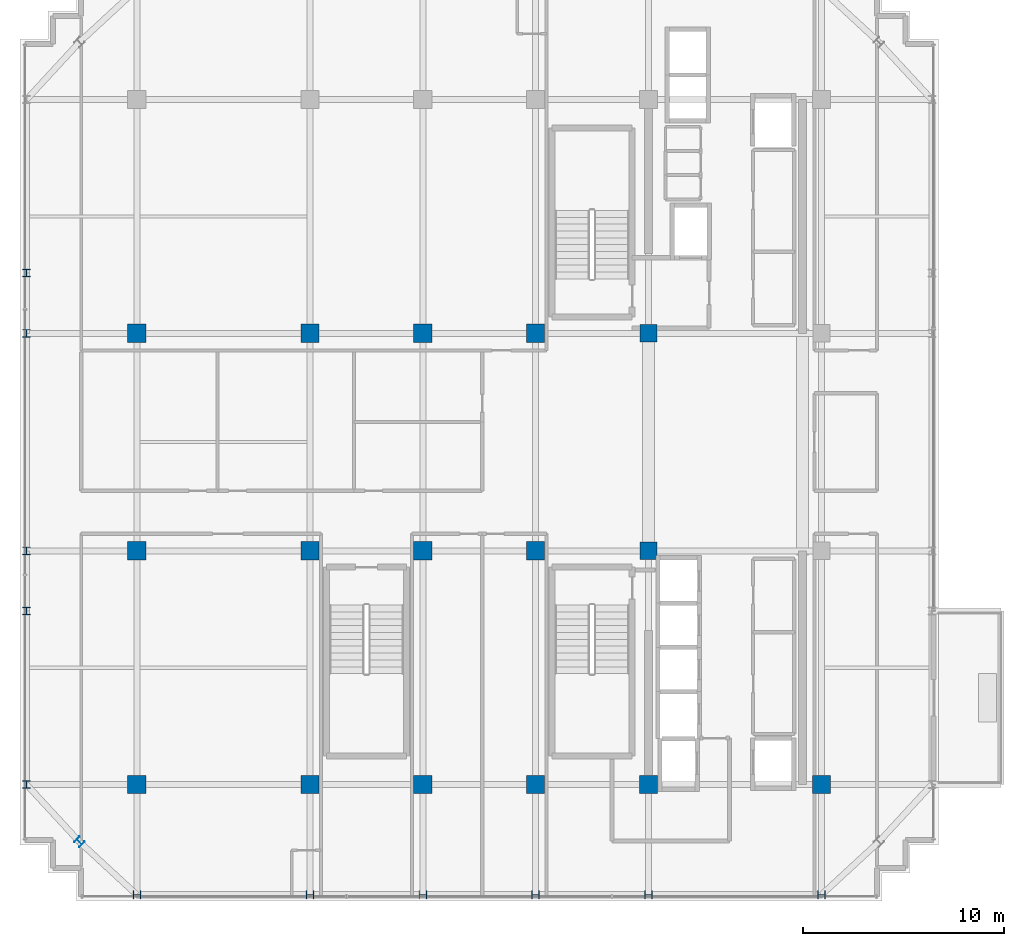
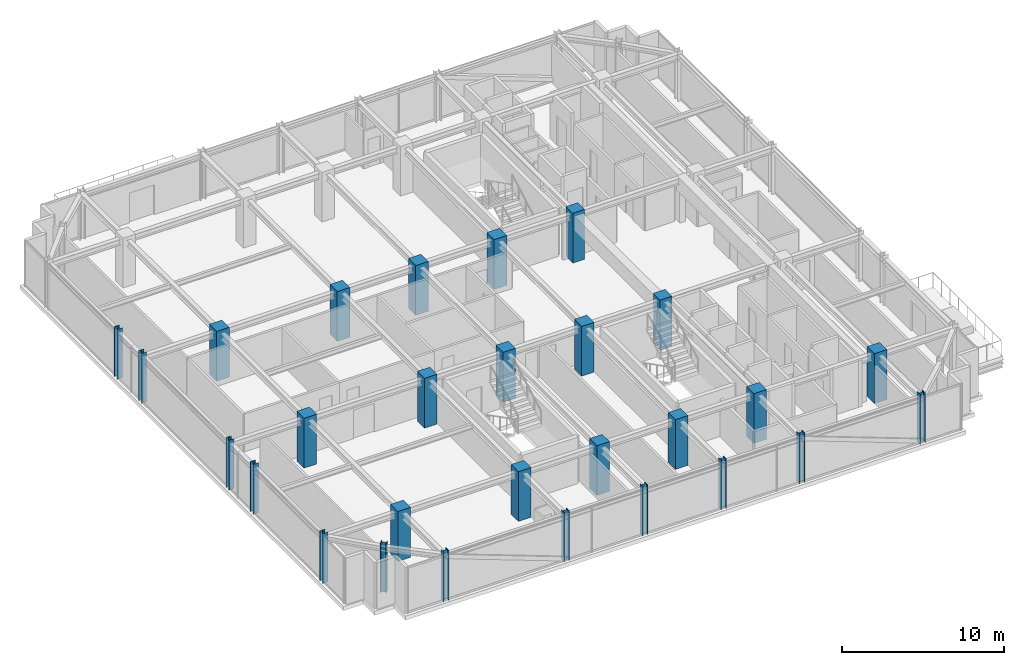
# One storey, part 1 of 31: 28 columns.
"""IFC4 building model written with IfcOpenShell, lengths in metres."""

import ifcopenshell
import ifcopenshell.guid

model = None  # the IFC model being written
_history = None  # IfcOwnerHistory: only IFC2X3 demands one
_inside = {}  # id of a spatial element -> (the spatial element, [elements in it])
_under = {}  # id of a project, library or spatial element -> (it, [spatial elements below it])
_declared = {}  # id of a project -> (the project, [libraries it declares])
_typed = {}  # id of a type object -> (the type object, [elements of that type])
_made_of = {}  # id of a material, layer set ... -> (it, [elements and type objects made of it])


def new_model(schema):
    """Start an empty IFC model of exactly this schema.

    Asked for "IFC4X3", IfcOpenShell would pick the latest addendum, in which some entities
    have other attributes; the version numbers below select the first issue.
    IFC2X3 requires an IfcOwnerHistory on every rooted entity: one is made here for all.
    """
    global model, _history
    if schema == "IFC4X3":
        model = ifcopenshell.file(schema_version=(4, 3, 0, 0))
    else:
        model = ifcopenshell.file(schema=schema)
    _inside.clear()
    _under.clear()
    _declared.clear()
    _typed.clear()
    _made_of.clear()
    _history = None
    if model.schema == "IFC2X3":
        org = make("IfcOrganization", Name="unknown")
        user = make(
            "IfcPersonAndOrganization",
            ThePerson=make("IfcPerson", FamilyName="unknown"),
            TheOrganization=org,
        )
        app = make(
            "IfcApplication",
            ApplicationDeveloper=org,
            Version="unknown",
            ApplicationFullName="unknown",
            ApplicationIdentifier="unknown",
        )
        _history = make(
            "IfcOwnerHistory",
            OwningUser=user,
            OwningApplication=app,
            ChangeAction="ADDED",
            CreationDate=0,
        )
    return model


def make(cls, **values):
    """One entity of the class cls with the attributes given. An attribute that is None is left unset."""
    return model.create_entity(
        cls, **{name: value for name, value in values.items() if value is not None}
    )


def rooted(cls, **values):
    """An entity with a GlobalId (a new one), such as an element, a storey or a relation."""
    return make(cls, GlobalId=ifcopenshell.guid.new(), OwnerHistory=_history, **values)


def si_unit(unit_type, name, prefix=None):
    """IfcSIUnit, for example si_unit("LENGTHUNIT", "METRE", prefix="MILLI")."""
    return make("IfcSIUnit", UnitType=unit_type, Prefix=prefix, Name=name)


def assignment(units):
    """IfcUnitAssignment: the units of a project."""
    return None if units is None else make("IfcUnitAssignment", Units=units)


def point(xyz):
    """IfcCartesianPoint."""
    return None if xyz is None else make("IfcCartesianPoint", Coordinates=xyz)


def direction(xyz):
    """IfcDirection."""
    return None if xyz is None else make("IfcDirection", DirectionRatios=xyz)


def frame(location, z_axis=None, x_axis=None):
    """IfcAxis2Placement3D, a coordinate frame: its origin and axes. An axis left out is left unset."""
    return make(
        "IfcAxis2Placement3D",
        Location=point(location),
        Axis=direction(z_axis),
        RefDirection=direction(x_axis),
    )


def frame_2d(location, x_axis=None):
    """IfcAxis2Placement2D, a coordinate frame in the plane: its origin and x axis."""
    return make(
        "IfcAxis2Placement2D", Location=point(location), RefDirection=direction(x_axis)
    )


def origin():
    """The frame at (0, 0, 0) with its axes left unset."""
    return frame((0.0, 0.0, 0.0))


def origin_2d():
    """The frame at (0, 0) in the plane with its x axis left unset."""
    return frame_2d((0.0, 0.0))


def place(relative_to, where):
    """IfcLocalPlacement: puts the frame where relative to a parent placement (None: the world)."""
    return make(
        "IfcLocalPlacement", PlacementRelTo=relative_to, RelativePlacement=where
    )


def context(
    kind, dimensions, precision=None, world=None, true_north=None, identifier=None
):
    """IfcGeometricRepresentationContext, for example the 3D "Model" context."""
    return make(
        "IfcGeometricRepresentationContext",
        ContextIdentifier=identifier,
        ContextType=kind,
        CoordinateSpaceDimension=dimensions,
        Precision=precision,
        WorldCoordinateSystem=world,
        TrueNorth=true_north,
    )


def subcontext(parent, identifier, kind, view, scale=None):
    """IfcGeometricRepresentationSubContext, for example "Body" below "Model"."""
    return make(
        "IfcGeometricRepresentationSubContext",
        ContextIdentifier=identifier,
        ContextType=kind,
        ParentContext=parent,
        TargetScale=scale,
        TargetView=view,
    )


def project(units=None, contexts=None):
    """IfcProject with its units and contexts."""
    return rooted(
        "IfcProject",
        Name="project",
        RepresentationContexts=contexts,
        UnitsInContext=assignment(units),
    )


def spatial(cls, under=None, at=None, **own):
    """A site, building, storey or space (cls), placed at a placement, below another one or the project."""
    s = rooted(cls, ObjectPlacement=at, **own)
    if under is not None:
        _under.setdefault(under.id(), (under, []))[1].append(s)
    return s


def profile(cls, at=None, kind="AREA", **sizes):
    """A parametric profile (cls). Its sizes go by their IFC names, for example OverallWidth=200.0."""
    return make(cls, ProfileType=kind, Position=at, **sizes)


def rectangle(**sizes):
    """IfcRectangleProfileDef."""
    return profile("IfcRectangleProfileDef", **sizes)


def i_section(**sizes):
    """IfcIShapeProfileDef."""
    return profile("IfcIShapeProfileDef", **sizes)


def extrude(swept, where, along, depth):
    """IfcExtrudedAreaSolid: the profile swept, set in the frame where, extruded along a direction by depth."""
    return make(
        "IfcExtrudedAreaSolid",
        SweptArea=swept,
        Position=where,
        ExtrudedDirection=direction(along),
        Depth=depth,
    )


def shape(context_of_items, identifier, shape_type, items):
    """IfcShapeRepresentation: the items that make up one representation, for example the "Body"."""
    return make(
        "IfcShapeRepresentation",
        ContextOfItems=context_of_items,
        RepresentationIdentifier=identifier,
        RepresentationType=shape_type,
        Items=items,
    )


def source(mapping_origin, context_of_items, identifier, shape_type, items):
    """IfcRepresentationMap: a shape defined once, which mapped items show again and again."""
    return make(
        "IfcRepresentationMap",
        MappingOrigin=mapping_origin,
        MappedRepresentation=shape(context_of_items, identifier, shape_type, items),
    )


def transform(
    local_origin,
    x_axis=None,
    y_axis=None,
    z_axis=None,
    scale=None,
    scale2=None,
    scale3=None,
    uniform=True,
):
    """IfcCartesianTransformationOperator3D, or its non-uniform kind. x_axis, y_axis, z_axis: its Axis1, 2, 3."""
    if uniform:
        return make(
            "IfcCartesianTransformationOperator3D",
            Axis1=direction(x_axis),
            Axis2=direction(y_axis),
            LocalOrigin=point(local_origin),
            Scale=scale,
            Axis3=direction(z_axis),
        )
    return make(
        "IfcCartesianTransformationOperator3DnonUniform",
        Axis1=direction(x_axis),
        Axis2=direction(y_axis),
        LocalOrigin=point(local_origin),
        Scale=scale,
        Axis3=direction(z_axis),
        Scale2=scale2,
        Scale3=scale3,
    )


def mapped(mapping_source, mapping_target):
    """IfcMappedItem: shows the shape of a source again, moved by a transform."""
    return make(
        "IfcMappedItem", MappingSource=mapping_source, MappingTarget=mapping_target
    )


def material(Name=None, Category=None):
    """IfcMaterial."""
    return make("IfcMaterial", Name=Name, Category=Category)


def material_profile(
    of_material, cross_section, Name=None, Category=None, Priority=None
):
    """IfcMaterialProfile: a cross section and its material."""
    return make(
        "IfcMaterialProfile",
        Name=Name,
        Material=of_material,
        Profile=cross_section,
        Priority=Priority,
        Category=Category,
    )


def profile_set(profiles, Name=None, composite=None):
    """IfcMaterialProfileSet."""
    return make(
        "IfcMaterialProfileSet",
        Name=Name,
        MaterialProfiles=profiles,
        CompositeProfile=composite,
    )


def made_of(thing, what):
    """Note that an element or type object is made of a material, layer set ...; save() writes the relation."""
    if what is not None:
        _made_of.setdefault(what.id(), (what, []))[1].append(thing)
    return thing


def type_object(cls, material=None, **own):
    """A type object (cls), such as IfcWallType, which elements share."""
    return made_of(rooted(cls, **own), material)


def element(
    cls,
    number,
    at=None,
    inside=None,
    cuts=None,
    type_object=None,
    material=None,
    context=None,
    identifier="Body",
    shape_type=None,
    held_by="IfcProductDefinitionShape",
    body=None,
    shapes=None,
    **own,
):
    """One element of the class cls, such as IfcWall. Its Tag is "e" and its number.

    at: its placement. inside: the storey or other place that contains it. cuts: it is an
    opening in that element (IfcRelVoidsElement). A single representation is given by context,
    identifier, shape_type and body (its items); several are given by shapes. held_by: the class
    of the entity that holds the representations. save() writes the other relations.
    """
    e = rooted(cls, Tag="e%d" % number, ObjectPlacement=at, **own)
    if body is not None:
        shapes = [shape(context, identifier, shape_type, body)]
    if shapes is not None:
        e.Representation = make(held_by, Representations=shapes)
    if inside is not None:
        _inside.setdefault(inside.id(), (inside, []))[1].append(e)
    if cuts is not None:
        rooted(
            "IfcRelVoidsElement", RelatingBuildingElement=cuts, RelatedOpeningElement=e
        )
    if type_object is not None:
        _typed.setdefault(type_object.id(), (type_object, []))[1].append(e)
    return made_of(e, material)


def aggregate(whole, parts):
    """IfcRelAggregates: a whole, such as a stair, and the parts it consists of."""
    return rooted("IfcRelAggregates", RelatingObject=whole, RelatedObjects=parts)


def save(model, path):
    """Write the relations noted so far, then the file.

    IfcRelAggregates (storeys below a building ...), IfcRelContainedInSpatialStructure (elements
    in a storey), IfcRelDefinesByType, IfcRelAssociatesMaterial and IfcRelDeclares: one each for
    every whole, place, type object, material and project.
    """
    for whole, parts in _under.values():
        aggregate(whole, parts)
    for where, things in _inside.values():
        rooted(
            "IfcRelContainedInSpatialStructure",
            RelatedElements=things,
            RelatingStructure=where,
        )
    for kind, things in _typed.values():
        rooted("IfcRelDefinesByType", RelatedObjects=things, RelatingType=kind)
    for what, things in _made_of.values():
        rooted("IfcRelAssociatesMaterial", RelatedObjects=things, RelatingMaterial=what)
    for by, libraries in _declared.values():
        rooted("IfcRelDeclares", RelatingContext=by, RelatedDefinitions=libraries)
    model.write(path)


model = new_model("IFC4")

# Units and contexts
model_context = context("Model", 3, precision=1e-05, world=origin(), true_north=direction((0.0, 1.0)))
body_context = subcontext(model_context, "Body", "Model", "MODEL_VIEW")
ifc_project = project(units=[si_unit("LENGTHUNIT", "METRE"), si_unit("AREAUNIT", "SQUARE_METRE"), si_unit("VOLUMEUNIT", "CUBIC_METRE"), si_unit("PLANEANGLEUNIT", "RADIAN"), si_unit("MASSUNIT", "GRAM", prefix="KILO")], contexts=[model_context])

# Site, building, storey
site_placement = place(None, origin())
site = spatial("IfcSite", under=ifc_project, at=site_placement, CompositionType="ELEMENT")
building_placement = place(site_placement, origin())
building = spatial("IfcBuilding", under=site, at=building_placement, Name="Nahalor Promenade Grand Hotel", CompositionType="ELEMENT")
storey_placement = place(building_placement, frame((0.0, 0.0, 327.14990234375)))
storey = spatial("IfcBuildingStorey", under=building, at=storey_placement, Name="L84", CompositionType="ELEMENT", Elevation=327.14990234375)

# Columns
ifc_material_1 = material(Name="Concrete B-50 (C40/50)", Category="concrete")
ifc_material_profile_1 = material_profile(ifc_material_1, rectangle(XDim=0.9, YDim=0.9, at=origin_2d()), Name="RC 900x900")
ifc_profile_set_1 = profile_set([ifc_material_profile_1], Name="Concrete B-50 (C40/50)")
column_type_1 = type_object("IfcColumnType", Name="Col-RC-900", PredefinedType="COLUMN", material=ifc_profile_set_1)
shared_shape_1 = source(origin(), body_context, "Body", "SweptSolid", [
    extrude(rectangle(XDim=0.9, YDim=0.9, at=origin_2d()), origin(), (0.0, 0.0, 1.0), 3.755126953125),
])
for number, where, z_axis, x_axis, name in (
    (1, (-17.0, -17.0, 0.0), (0.0, 0.0, 1.0), (1.0, 0.0, 0.0), "COL-L84-I00"),
    (2, (-17.0, -5.39990234375, 0.0), (0.0, 0.0, 1.0), (1.0, 0.0, 0.0), "COL-L84-I01"),
    (3, (-17.0, 5.39990234375, 0.0), (0.0, 0.0, 1.0), (1.0, 0.0, 0.0), "COL-L84-I02"),
    (4, (-8.39990234375, -17.0, 0.0), (0.0, 0.0, 1.0), (1.0, 0.0, 0.0), "COL-L84-I10"),
    (5, (-8.39990234375, -5.39990234375, 0.0), (0.0, 0.0, 1.0), (1.0, 0.0, 0.0), "COL-L84-I11"),
    (6, (-8.39990234375, 5.39990234375, 0.0), (0.0, 0.0, 1.0), (1.0, 0.0, 0.0), "COL-L84-I12"),
    (7, (-2.800048828125, -17.0, 0.0), (0.0, 0.0, 1.0), (1.0, 0.0, 0.0), "COL-L84-I20"),
    (8, (-2.800048828125, -5.39990234375, 0.0), (0.0, 0.0, 1.0), (1.0, 0.0, 0.0), "COL-L84-I21"),
    (9, (-2.800048828125, 5.39990234375, 0.0), (0.0, 0.0, 1.0), (1.0, 0.0, 0.0), "COL-L84-I22"),
    (10, (2.800048828125, -17.0, 0.0), (0.0, 0.0, 1.0), (1.0, 0.0, 0.0), "COL-L84-I30"),
    (11, (2.800048828125, -5.39990234375, 0.0), (0.0, 0.0, 1.0), (1.0, 0.0, 0.0), "COL-L84-I31"),
    (12, (2.800048828125, 5.39990234375, 0.0), (0.0, 0.0, 1.0), (1.0, 0.0, 0.0), "COL-L84-I32"),
    (13, (8.39990234375, -17.0, 0.0), (0.0, 0.0, 1.0), (1.0, 0.0, 0.0), "COL-L84-I40"),
    (14, (17.0, -17.0, 0.0), (0.0, 0.0, 1.0), (1.0, 0.0, 0.0), "COL-L84-I50"),
):
    element("IfcColumn", number, at=place(storey_placement, frame(where, z_axis=z_axis, x_axis=x_axis)), inside=storey, type_object=column_type_1, Name=name, PredefinedType="COLUMN", context=body_context, shape_type="MappedRepresentation", body=[
        mapped(shared_shape_1, transform((0.0, 0.0, 0.0), scale=1.0)),
    ])
ifc_material_2 = material(Name="Concrete B-70 (C60/75)", Category="concrete")
ifc_material_profile_2 = material_profile(ifc_material_2, rectangle(XDim=0.85, YDim=0.85, at=origin_2d()), Name="RC 850x850")
ifc_profile_set_2 = profile_set([ifc_material_profile_2], Name="Concrete B-70 (C60/75)")
column_type_2 = type_object("IfcColumnType", Name="Col-Pilaster-850", PredefinedType="PILASTER", material=ifc_profile_set_2)
shared_shape_2 = source(origin(), body_context, "Body", "SweptSolid", [
    extrude(rectangle(XDim=0.85, YDim=0.85, at=origin_2d()), origin(), (0.0, 0.0, 1.0), 3.755126953125),
])
for number, where, z_axis, x_axis, name in (
    (15, (8.39990234375, -5.39990234375, 0.0), (0.0, 0.0, 1.0), (1.0, 0.0, 0.0), "COL-L84-I41"),
    (16, (8.39990234375, 5.39990234375, 0.0), (0.0, 0.0, 1.0), (1.0, 0.0, 0.0), "COL-L84-I42"),
):
    element("IfcColumn", number, at=place(storey_placement, frame(where, z_axis=z_axis, x_axis=x_axis)), inside=storey, type_object=column_type_2, Name=name, PredefinedType="PILASTER", context=body_context, shape_type="MappedRepresentation", body=[
        mapped(shared_shape_2, transform((0.0, 0.0, 0.0), scale=1.0)),
    ])
ifc_material_3 = material(Name="Steel S355JR", Category="steel")
ifc_material_profile_3 = material_profile(ifc_material_3, i_section(OverallWidth=0.374, OverallDepth=0.374, WebThickness=0.0144, FlangeThickness=0.0229, at=origin_2d()), Name="HD 360x262")
ifc_profile_set_3 = profile_set([ifc_material_profile_3], Name="Steel S355JR")
column_type_3 = type_object("IfcColumnType", Name="Col-Steel-HD262", PredefinedType="COLUMN", material=ifc_profile_set_3)
shared_shape_3 = source(origin(), body_context, "Body", "SweptSolid", [
    extrude(i_section(OverallWidth=0.374, OverallDepth=0.374, WebThickness=0.0144, FlangeThickness=0.0229, at=origin_2d()), origin(), (0.0, 0.0, 1.0), 3.755126953125),
])
for number, where, z_axis, x_axis, name in (
    (17, (-22.47998046875, -17.0, 0.0), (0.0, 0.0, 1.0), (1.0, 0.0, 0.0), "COL-L84-PW-W0"),
    (18, (-22.47998046875, -8.39990234375, 0.0), (0.0, 0.0, 1.0), (1.0, 0.0, 0.0), "COL-L84-PW-W1"),
    (19, (-22.47998046875, -5.39990234375, 0.0), (0.0, 0.0, 1.0), (1.0, 0.0, 0.0), "COL-L84-PW-W2"),
    (20, (-22.47998046875, 5.39990234375, 0.0), (0.0, 0.0, 1.0), (1.0, 0.0, 0.0), "COL-L84-PW-W3"),
    (21, (-22.47998046875, 8.39990234375, 0.0), (0.0, 0.0, 1.0), (1.0, 0.0, 0.0), "COL-L84-PW-W4"),
    (22, (-17.0, -22.47998046875, 0.0), (0.0, 0.0, 1.0), (0.0, 1.0, 0.0), "COL-L84-PN-S0"),
    (23, (-8.39990234375, -22.47998046875, 0.0), (0.0, 0.0, 1.0), (0.0, 1.0, 0.0), "COL-L84-PN-S1"),
    (24, (-2.800048828125, -22.47998046875, 0.0), (0.0, 0.0, 1.0), (0.0, 1.0, 0.0), "COL-L84-PN-S2"),
    (25, (2.800048828125, -22.47998046875, 0.0), (0.0, 0.0, 1.0), (0.0, 1.0, 0.0), "COL-L84-PN-S3"),
    (26, (8.39990234375, -22.47998046875, 0.0), (0.0, 0.0, 1.0), (0.0, 1.0, 0.0), "COL-L84-PN-S4"),
    (27, (17.0, -22.47998046875, 0.0), (0.0, 0.0, 1.0), (0.0, 1.0, 0.0), "COL-L84-PN-S5"),
    (28, (-19.85009765625, -19.85009765625, 0.0), (0.0, 0.0, 1.0), (0.707106781187, 0.707106781187, 0.0), "COL-L84-CRN-SW"),
):
    element("IfcColumn", number, at=place(storey_placement, frame(where, z_axis=z_axis, x_axis=x_axis)), inside=storey, type_object=column_type_3, Name=name, PredefinedType="COLUMN", context=body_context, shape_type="MappedRepresentation", body=[
        mapped(shared_shape_3, transform((0.0, 0.0, 0.0), scale=1.0)),
    ])

save(model, "model.ifc")
